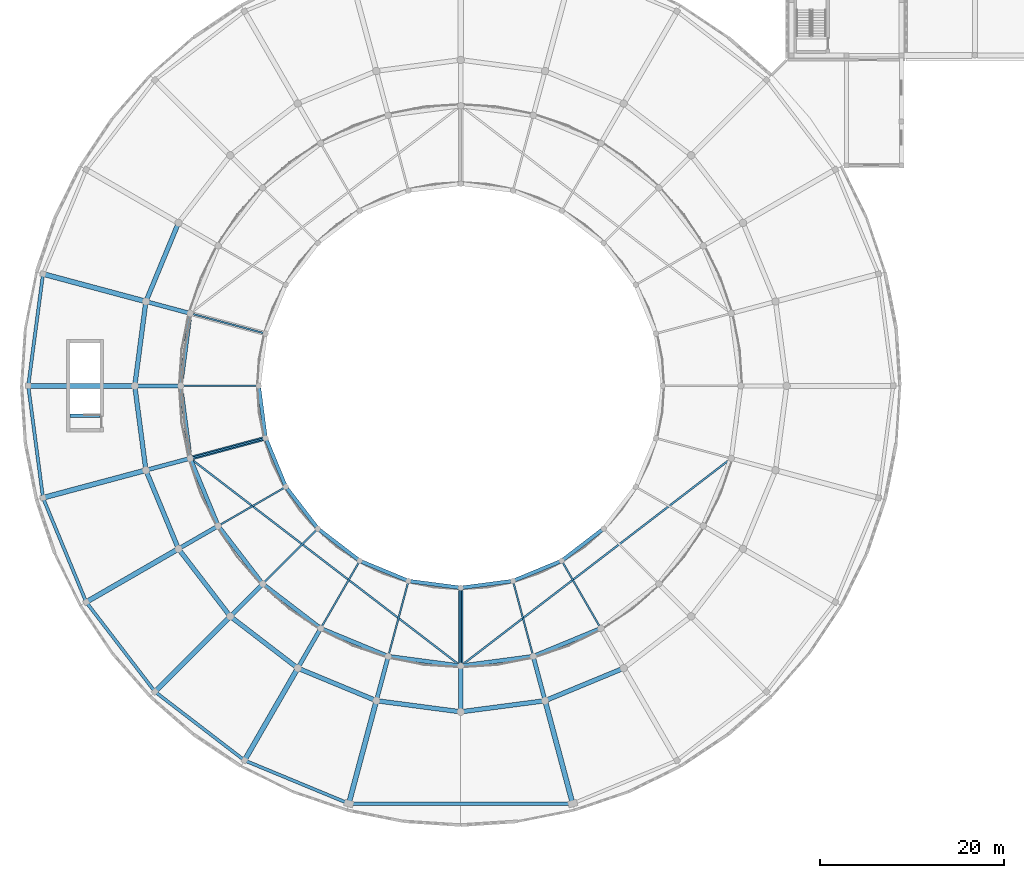
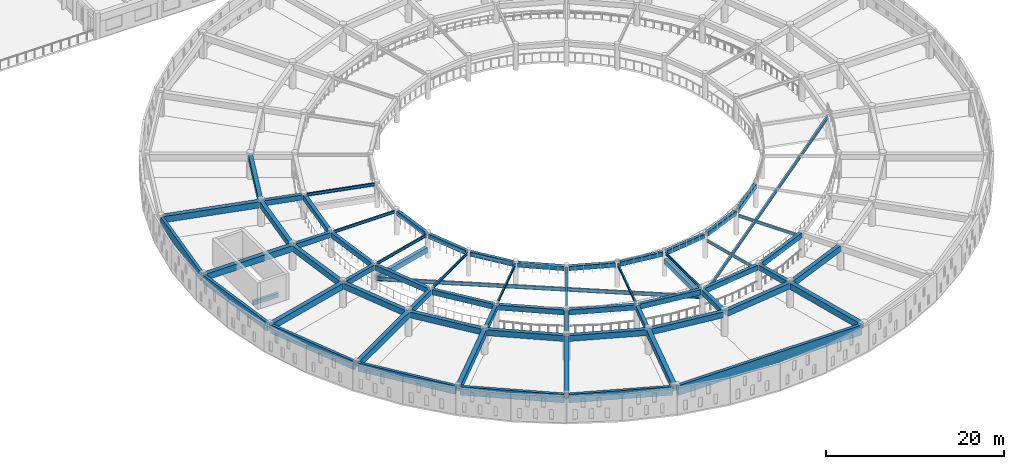
# One storey, part 10 of 155: 67 beams.
"""IFC4 building model written with IfcOpenShell, lengths in metres."""

from ifc_helpers import new_model, si_unit, direction, frame, origin, origin_2d, place, context, subcontext, project, spatial, rectangle, i_section, extrude, material, material_profile, profile_set, type_object, element, save


model = new_model("IFC4")

# Units and contexts
model_context = context("Model", 3, precision=1e-05, world=origin(), true_north=direction((0.0, 1.0)))
body_context = subcontext(model_context, "Body", "Model", "MODEL_VIEW")
ifc_project = project(units=[si_unit("LENGTHUNIT", "METRE"), si_unit("AREAUNIT", "SQUARE_METRE"), si_unit("VOLUMEUNIT", "CUBIC_METRE"), si_unit("PLANEANGLEUNIT", "RADIAN"), si_unit("MASSUNIT", "GRAM", prefix="KILO")], contexts=[model_context])

# Site, building, storey
site_placement = place(None, origin())
site = spatial("IfcSite", under=ifc_project, at=site_placement, CompositionType="ELEMENT")
building_placement = place(site_placement, origin())
building = spatial("IfcBuilding", under=site, at=building_placement, Name="Larkveld Mobility Hub", CompositionType="ELEMENT")
storey_placement = place(building_placement, frame((0.0, 0.0, 8.39990234375)))
storey = spatial("IfcBuildingStorey", under=building, at=storey_placement, Name="L02", CompositionType="ELEMENT", Elevation=8.39990234375)

# Beams
ifc_material_1 = material(Name="Concrete C40/50", Category="concrete")
ifc_material_profile_1 = material_profile(ifc_material_1, rectangle(XDim=0.35009765625, YDim=0.550048828125, at=origin_2d()), Name="RC BM 350x550")
ifc_profile_set_1 = profile_set([ifc_material_profile_1], Name="Concrete C40/50")
beam_type_1 = type_object("IfcBeamType", Name="BM-RC3555", PredefinedType="BEAM", material=ifc_profile_set_1)
beam_1_placement = place(storey_placement, frame((5.429931640625, 44.739990234375, -0.27001953125), z_axis=(1.0, 0.0, 0.0), x_axis=(0.0, 1.0, 0.0)))
element("IfcBeam", 1, at=beam_1_placement, inside=storey, type_object=beam_type_1, Name="Core C7 Stair Header Beam L02", PredefinedType="BEAM", context=body_context, shape_type="SweptSolid", body=[
    extrude(rectangle(XDim=0.35009765625, YDim=0.550048828125, at=origin_2d()), origin(), (0.0, 0.0, 1.0), 3.2900390625),
])
ifc_material_profile_2 = material_profile(ifc_material_1, rectangle(XDim=0.39990234375, YDim=0.60009765625, at=origin_2d()), Name="RC BM 400x600")
ifc_profile_set_2 = profile_set([ifc_material_profile_2], Name="Concrete C40/50")
beam_type_2 = type_object("IfcBeamType", Name="BM-RC4060", PredefinedType="BEAM", material=ifc_profile_set_2)
beam_2_placement = place(storey_placement, frame((26.031005859375, 47.761962890625, 3.03515625), z_axis=(0.130717291413, -0.991419683951, 0.0), x_axis=(0.991419683951, 0.130717291413, 0.0)))
element("IfcBeam", 2, at=beam_2_placement, inside=storey, type_object=beam_type_2, Name="Drum Chord Ring Beam L02-1668", PredefinedType="BEAM", context=body_context, shape_type="SweptSolid", body=[
    extrude(rectangle(XDim=0.39990234375, YDim=0.60009765625, at=origin_2d()), origin(), (0.0, 0.0, 1.0), 5.26318359375),
])
beam_3_placement = place(storey_placement, frame((26.842041015625, 42.083984375, 3.03515625), z_axis=(0.382522527323, -0.923946165147, 0.0), x_axis=(0.923946165147, 0.382522527323, 0.0)))
element("IfcBeam", 3, at=beam_3_placement, inside=storey, type_object=beam_type_2, Name="Drum Chord Ring Beam L02-1672", PredefinedType="BEAM", context=body_context, shape_type="SweptSolid", body=[
    extrude(rectangle(XDim=0.39990234375, YDim=0.60009765625, at=origin_2d()), origin(), (0.0, 0.0, 1.0), 5.26220703125),
])
for number, where, z_axis, x_axis, name in (
    (4, (29.093017578125, 36.81005859375, 3.03515625), (0.608845256975, -0.793289009793, 0.0), (0.793289009793, 0.608845256975, 0.0), "Drum Chord Ring Beam L02-1676"),
    (5, (32.634033203125, 32.298095703125, 3.03515625), (0.793289009793, -0.608845256975, 0.0), (0.608845256975, 0.793289009793, 0.0), "Drum Chord Ring Beam L02-1680"),
):
    element("IfcBeam", number, at=place(storey_placement, frame(where, z_axis=z_axis, x_axis=x_axis)), inside=storey, type_object=beam_type_2, Name=name, PredefinedType="BEAM", context=body_context, shape_type="SweptSolid", body=[
        extrude(rectangle(XDim=0.39990234375, YDim=0.60009765625, at=origin_2d()), origin(), (0.0, 0.0, 1.0), 5.26416015625),
    ])
beam_4_placement = place(storey_placement, frame((37.221923828125, 28.85498046875, 3.03515625), z_axis=(0.923946165147, -0.382522527323, 0.0), x_axis=(0.382522527323, 0.923946165147, 0.0)))
element("IfcBeam", 6, at=beam_4_placement, inside=storey, type_object=beam_type_2, Name="Drum Chord Ring Beam L02-1684", PredefinedType="BEAM", context=body_context, shape_type="SweptSolid", body=[
    extrude(rectangle(XDim=0.39990234375, YDim=0.60009765625, at=origin_2d()), origin(), (0.0, 0.0, 1.0), 5.26220703125),
])
for number, where, z_axis, x_axis, name in (
    (7, (42.5439453125, 26.718994140625, 3.03515625), (0.991419683951, -0.130717291413, 0.0), (0.130717291413, 0.991419683951, 0.0), "Drum Chord Ring Beam L02-1688"),
    (8, (48.238037109375, 26.031005859375, 3.03515625), (0.991419683951, 0.130717291413, 0.0), (-0.130717291413, 0.991419683951, 0.0), "Drum Chord Ring Beam L02-1692"),
):
    element("IfcBeam", number, at=place(storey_placement, frame(where, z_axis=z_axis, x_axis=x_axis)), inside=storey, type_object=beam_type_2, Name=name, PredefinedType="BEAM", context=body_context, shape_type="SweptSolid", body=[
        extrude(rectangle(XDim=0.39990234375, YDim=0.60009765625, at=origin_2d()), origin(), (0.0, 0.0, 1.0), 5.26318359375),
    ])
beam_5_placement = place(storey_placement, frame((53.916015625, 26.842041015625, 3.03515625), z_axis=(0.923946165147, 0.382522527323, 0.0), x_axis=(-0.382522527323, 0.923946165147, 0.0)))
element("IfcBeam", 9, at=beam_5_placement, inside=storey, type_object=beam_type_2, Name="Drum Chord Ring Beam L02-1695", PredefinedType="BEAM", context=body_context, shape_type="SweptSolid", body=[
    extrude(rectangle(XDim=0.39990234375, YDim=0.60009765625, at=origin_2d()), origin(), (0.0, 0.0, 1.0), 5.26220703125),
])
beam_6_placement = place(storey_placement, frame((59.18994140625, 29.093017578125, 3.03515625), z_axis=(0.793289009793, 0.608845256975, 0.0), x_axis=(-0.608845256975, 0.793289009793, 0.0)))
element("IfcBeam", 10, at=beam_6_placement, inside=storey, type_object=beam_type_2, Name="Drum Chord Ring Beam L02-1699", PredefinedType="BEAM", context=body_context, shape_type="SweptSolid", body=[
    extrude(rectangle(XDim=0.39990234375, YDim=0.60009765625, at=origin_2d()), origin(), (0.0, 0.0, 1.0), 5.26416015625),
])
ifc_material_profile_3 = material_profile(ifc_material_1, rectangle(XDim=0.449951171875, YDim=0.699951171875, at=origin_2d()), Name="RC BM 450x700")
ifc_profile_set_3 = profile_set([ifc_material_profile_3], Name="Concrete C40/50")
beam_type_3 = type_object("IfcBeamType", Name="BM-RC4570", PredefinedType="BEAM", material=ifc_profile_set_3)
beam_7_placement = place(storey_placement, frame((18.306884765625, 55.9560546875, 2.985107421875), z_axis=(-0.96590777444, 0.258886406125, 0.0), x_axis=(-0.258886406125, -0.96590777444, 0.0)))
element("IfcBeam", 11, at=beam_7_placement, inside=storey, type_object=beam_type_3, Name="Drum Radial Girder L02-1583", PredefinedType="BEAM", context=body_context, shape_type="SweptSolid", body=[
    extrude(rectangle(XDim=0.449951171875, YDim=0.699951171875, at=origin_2d()), origin(), (0.0, 0.0, 1.0), 4.51904296875),
])
beam_8_placement = place(storey_placement, frame((17.260009765625, 48.0, 2.985107421875), z_axis=(-1.0, 0.0, 0.0), x_axis=(0.0, -1.0, 0.0)))
element("IfcBeam", 12, at=beam_8_placement, inside=storey, type_object=beam_type_3, Name="Drum Radial Girder L02-1586", PredefinedType="BEAM", context=body_context, shape_type="SweptSolid", body=[
    extrude(rectangle(XDim=0.449951171875, YDim=0.699951171875, at=origin_2d()), origin(), (0.0, 0.0, 1.0), 4.52001953125),
])
beam_9_placement = place(storey_placement, frame((18.306884765625, 40.0439453125, 2.985107421875), z_axis=(-0.96590777444, -0.258886406125, 0.0), x_axis=(0.258886406125, -0.96590777444, 0.0)))
element("IfcBeam", 13, at=beam_9_placement, inside=storey, type_object=beam_type_3, Name="Drum Radial Girder L02-1589", PredefinedType="BEAM", context=body_context, shape_type="SweptSolid", body=[
    extrude(rectangle(XDim=0.449951171875, YDim=0.699951171875, at=origin_2d()), origin(), (0.0, 0.0, 1.0), 4.51904296875),
])
beam_10_placement = place(storey_placement, frame((21.3779296875, 32.6298828125, 2.985107421875), z_axis=(-0.86601375827, -0.50002017008, 0.0), x_axis=(0.50002017008, -0.86601375827, 0.0)))
element("IfcBeam", 14, at=beam_10_placement, inside=storey, type_object=beam_type_3, Name="Drum Radial Girder L02-1592", PredefinedType="BEAM", context=body_context, shape_type="SweptSolid", body=[
    extrude(rectangle(XDim=0.449951171875, YDim=0.699951171875, at=origin_2d()), origin(), (0.0, 0.0, 1.0), 4.519287109375),
])
beam_11_placement = place(storey_placement, frame((26.262939453125, 26.262939453125, 2.985107421875), z_axis=(-0.707106781187, -0.707106781187, 0.0), x_axis=(0.707106781187, -0.707106781187, 0.0)))
element("IfcBeam", 15, at=beam_11_placement, inside=storey, type_object=beam_type_3, Name="Drum Radial Girder L02-1595", PredefinedType="BEAM", context=body_context, shape_type="SweptSolid", body=[
    extrude(rectangle(XDim=0.449951171875, YDim=0.699951171875, at=origin_2d()), origin(), (0.0, 0.0, 1.0), 4.51806640625),
])
beam_12_placement = place(storey_placement, frame((32.6298828125, 21.3779296875, 2.985107421875), z_axis=(-0.50002017008, -0.86601375827, 0.0), x_axis=(0.86601375827, -0.50002017008, 0.0)))
element("IfcBeam", 16, at=beam_12_placement, inside=storey, type_object=beam_type_3, Name="Drum Radial Girder L02-1598", PredefinedType="BEAM", context=body_context, shape_type="SweptSolid", body=[
    extrude(rectangle(XDim=0.449951171875, YDim=0.699951171875, at=origin_2d()), origin(), (0.0, 0.0, 1.0), 4.519287109375),
])
beam_13_placement = place(storey_placement, frame((40.0439453125, 18.306884765625, 2.985107421875), z_axis=(-0.258886406125, -0.96590777444, 0.0), x_axis=(0.96590777444, -0.258886406125, 0.0)))
element("IfcBeam", 17, at=beam_13_placement, inside=storey, type_object=beam_type_3, Name="Drum Radial Girder L02-1601", PredefinedType="BEAM", context=body_context, shape_type="SweptSolid", body=[
    extrude(rectangle(XDim=0.449951171875, YDim=0.699951171875, at=origin_2d()), origin(), (0.0, 0.0, 1.0), 4.51904296875),
])
beam_14_placement = place(storey_placement, frame((48.0, 17.260009765625, 2.985107421875), z_axis=(0.0, -1.0, 0.0), x_axis=(1.0, 0.0, 0.0)))
element("IfcBeam", 18, at=beam_14_placement, inside=storey, type_object=beam_type_3, Name="Drum Radial Girder L02-1604", PredefinedType="BEAM", context=body_context, shape_type="SweptSolid", body=[
    extrude(rectangle(XDim=0.449951171875, YDim=0.699951171875, at=origin_2d()), origin(), (0.0, 0.0, 1.0), 4.52001953125),
])
beam_15_placement = place(storey_placement, frame((55.9560546875, 18.306884765625, 2.985107421875), z_axis=(0.258886406125, -0.96590777444, 0.0), x_axis=(0.96590777444, 0.258886406125, 0.0)))
element("IfcBeam", 19, at=beam_15_placement, inside=storey, type_object=beam_type_3, Name="Drum Radial Girder L02-1606", PredefinedType="BEAM", context=body_context, shape_type="SweptSolid", body=[
    extrude(rectangle(XDim=0.449951171875, YDim=0.699951171875, at=origin_2d()), origin(), (0.0, 0.0, 1.0), 4.51904296875),
])
for number, where, z_axis, x_axis, name in (
    (20, (18.508056640625, 55.656005859375, 2.985107421875), (-0.1305861874, -0.991436961012, 0.0), (0.991436961012, -0.1305861874, 0.0), "Drum Chord Ring Beam L02-1665"),
    (21, (17.531005859375, 47.761962890625, 2.985107421875), (0.1305861874, -0.991436961012, 0.0), (0.991436961012, 0.1305861874, 0.0), "Drum Chord Ring Beam L02-1669"),
):
    element("IfcBeam", number, at=place(storey_placement, frame(where, z_axis=z_axis, x_axis=x_axis)), inside=storey, type_object=beam_type_3, Name=name, PredefinedType="BEAM", context=body_context, shape_type="SweptSolid", body=[
        extrude(rectangle(XDim=0.449951171875, YDim=0.699951171875, at=origin_2d()), origin(), (0.0, 0.0, 1.0), 7.48193359375),
    ])
beam_16_placement = place(storey_placement, frame((18.631103515625, 39.884033203125, 2.985107421875), z_axis=(0.382649607255, -0.923893542605, 0.0), x_axis=(0.923893542605, 0.382649607255, 0.0)))
element("IfcBeam", 22, at=beam_16_placement, inside=storey, type_object=beam_type_3, Name="Drum Chord Ring Beam L02-1673", PredefinedType="BEAM", context=body_context, shape_type="SweptSolid", body=[
    extrude(rectangle(XDim=0.449951171875, YDim=0.699951171875, at=origin_2d()), origin(), (0.0, 0.0, 1.0), 7.4814453125),
])
for number, where, z_axis, x_axis, name in (
    (23, (21.73193359375, 32.56005859375, 2.985107421875), (0.608723281143, -0.793382610721, 0.0), (0.793382610721, 0.608723281143, 0.0), "Drum Chord Ring Beam L02-1677"),
    (24, (26.623046875, 26.287109375, 2.985107421875), (0.793382610721, -0.608723281143, 0.0), (0.608723281143, 0.793382610721, 0.0), "Drum Chord Ring Beam L02-1681"),
):
    element("IfcBeam", number, at=place(storey_placement, frame(where, z_axis=z_axis, x_axis=x_axis)), inside=storey, type_object=beam_type_3, Name=name, PredefinedType="BEAM", context=body_context, shape_type="SweptSolid", body=[
        extrude(rectangle(XDim=0.449951171875, YDim=0.699951171875, at=origin_2d()), origin(), (0.0, 0.0, 1.0), 7.483154296875),
    ])
beam_17_placement = place(storey_placement, frame((32.971923828125, 21.493896484375, 2.985107421875), z_axis=(0.923893542605, -0.382649607255, 0.0), x_axis=(0.382649607255, 0.923893542605, 0.0)))
element("IfcBeam", 25, at=beam_17_placement, inside=storey, type_object=beam_type_3, Name="Drum Chord Ring Beam L02-1685", PredefinedType="BEAM", context=body_context, shape_type="SweptSolid", body=[
    extrude(rectangle(XDim=0.449951171875, YDim=0.699951171875, at=origin_2d()), origin(), (0.0, 0.0, 1.0), 7.4814453125),
])
for number, where, z_axis, x_axis, name in (
    (26, (40.343994140625, 18.508056640625, 2.985107421875), (0.991436961012, -0.1305861874, 0.0), (0.1305861874, 0.991436961012, 0.0), "Drum Chord Ring Beam L02-1689"),
    (27, (48.238037109375, 17.531005859375, 2.985107421875), (0.991436961012, 0.1305861874, 0.0), (-0.1305861874, 0.991436961012, 0.0), "Drum Chord Ring Beam L02-1693"),
):
    element("IfcBeam", number, at=place(storey_placement, frame(where, z_axis=z_axis, x_axis=x_axis)), inside=storey, type_object=beam_type_3, Name=name, PredefinedType="BEAM", context=body_context, shape_type="SweptSolid", body=[
        extrude(rectangle(XDim=0.449951171875, YDim=0.699951171875, at=origin_2d()), origin(), (0.0, 0.0, 1.0), 7.48193359375),
    ])
beam_18_placement = place(storey_placement, frame((56.115966796875, 18.631103515625, 2.985107421875), z_axis=(0.923893542605, 0.382649607255, 0.0), x_axis=(-0.382649607255, 0.923893542605, 0.0)))
element("IfcBeam", 28, at=beam_18_placement, inside=storey, type_object=beam_type_3, Name="Drum Chord Ring Beam L02-1696", PredefinedType="BEAM", context=body_context, shape_type="SweptSolid", body=[
    extrude(rectangle(XDim=0.449951171875, YDim=0.699951171875, at=origin_2d()), origin(), (0.0, 0.0, 1.0), 7.4814453125),
])
beam_19_placement = place(storey_placement, frame((26.47998046875, 42.23388671875, 1.205078125), z_axis=(-0.965910174028, -0.258877453071, 0.0), x_axis=(0.258877453071, -0.965910174028, 0.0)))
element("IfcBeam", 29, at=beam_19_placement, inside=storey, type_object=beam_type_3, Name="Helical Ramp Radial Support Girder L02-1767", PredefinedType="BEAM", context=body_context, shape_type="SweptSolid", body=[
    extrude(rectangle(XDim=0.449951171875, YDim=0.699951171875, at=origin_2d()), origin(), (0.0, 0.0, 1.0), 7.941650390625),
])
beam_20_placement = place(storey_placement, frame((48.0, 25.719970703125, 2.10498046875), z_axis=(0.0, -1.0, 0.0), x_axis=(1.0, 0.0, 0.0)))
element("IfcBeam", 30, at=beam_20_placement, inside=storey, type_object=beam_type_3, Name="Helical Ramp Radial Support Girder L02-1768", PredefinedType="BEAM", context=body_context, shape_type="SweptSolid", body=[
    extrude(rectangle(XDim=0.449951171875, YDim=0.699951171875, at=origin_2d()), origin(), (0.0, 0.0, 1.0), 7.93994140625),
])
ifc_material_profile_4 = material_profile(ifc_material_1, rectangle(XDim=0.5, YDim=0.800048828125, at=origin_2d()), Name="RC BM 500x800")
ifc_profile_set_4 = profile_set([ifc_material_profile_4], Name="Concrete C40/50")
beam_type_4 = type_object("IfcBeamType", Name="BM-RC5080", PredefinedType="BEAM", material=ifc_profile_set_4)
beam_21_placement = place(storey_placement, frame((17.1640625, 65.528076171875, 2.93505859375), z_axis=(-0.382625816799, -0.923903395556, 0.0), x_axis=(0.923903395556, -0.382625816799, 0.0)))
element("IfcBeam", 31, at=beam_21_placement, inside=storey, type_object=beam_type_4, Name="Drum Chord Ring Beam L02-1662", PredefinedType="BEAM", context=body_context, shape_type="SweptSolid", body=[
    extrude(rectangle(XDim=0.5, YDim=0.800048828125, at=origin_2d()), origin(), (0.0, 0.0, 1.0), 8.786865234375),
])
for number, where, z_axis, x_axis, name in (
    (32, (13.678955078125, 56.949951171875, 2.93505859375), (-0.130638498674, -0.991430069478, 0.0), (0.991430069478, -0.130638498674, 0.0), "Drum Chord Ring Beam L02-1666"),
    (33, (12.531005859375, 47.761962890625, 2.93505859375), (0.130638498674, -0.991430069478, 0.0), (0.991430069478, 0.130638498674, 0.0), "Drum Chord Ring Beam L02-1670"),
):
    element("IfcBeam", number, at=place(storey_placement, frame(where, z_axis=z_axis, x_axis=x_axis)), inside=storey, type_object=beam_type_4, Name=name, PredefinedType="BEAM", context=body_context, shape_type="SweptSolid", body=[
        extrude(rectangle(XDim=0.5, YDim=0.800048828125, at=origin_2d()), origin(), (0.0, 0.0, 1.0), 8.787109375),
    ])
beam_22_placement = place(storey_placement, frame((13.802001953125, 38.590087890625, 2.93505859375), z_axis=(0.382625816799, -0.923903395556, 0.0), x_axis=(0.923903395556, 0.382625816799, 0.0)))
element("IfcBeam", 34, at=beam_22_placement, inside=storey, type_object=beam_type_4, Name="Drum Chord Ring Beam L02-1674", PredefinedType="BEAM", context=body_context, shape_type="SweptSolid", body=[
    extrude(rectangle(XDim=0.5, YDim=0.800048828125, at=origin_2d()), origin(), (0.0, 0.0, 1.0), 8.786865234375),
])
for number, where, z_axis, x_axis, name in (
    (35, (17.402099609375, 30.06005859375, 2.93505859375), (0.608755761591, -0.793357689021, 0.0), (0.793357689021, 0.608755761591, 0.0), "Drum Chord Ring Beam L02-1678"),
    (36, (23.087890625, 22.751953125, 2.93505859375), (0.793357689021, -0.608755761591, 0.0), (0.608755761591, 0.793357689021, 0.0), "Drum Chord Ring Beam L02-1682"),
):
    element("IfcBeam", number, at=place(storey_placement, frame(where, z_axis=z_axis, x_axis=x_axis)), inside=storey, type_object=beam_type_4, Name=name, PredefinedType="BEAM", context=body_context, shape_type="SweptSolid", body=[
        extrude(rectangle(XDim=0.5, YDim=0.800048828125, at=origin_2d()), origin(), (0.0, 0.0, 1.0), 8.7880859375),
    ])
beam_23_placement = place(storey_placement, frame((30.471923828125, 17.1640625, 2.93505859375), z_axis=(0.923903395556, -0.382625816799, 0.0), x_axis=(0.382625816799, 0.923903395556, 0.0)))
element("IfcBeam", 37, at=beam_23_placement, inside=storey, type_object=beam_type_4, Name="Drum Chord Ring Beam L02-1686", PredefinedType="BEAM", context=body_context, shape_type="SweptSolid", body=[
    extrude(rectangle(XDim=0.5, YDim=0.800048828125, at=origin_2d()), origin(), (0.0, 0.0, 1.0), 8.786865234375),
])
for number, where, z_axis, x_axis, name in (
    (38, (39.050048828125, 13.678955078125, 2.93505859375), (0.991430069478, -0.130638498674, 0.0), (0.130638498674, 0.991430069478, 0.0), "Drum Chord Ring Beam L02-1690"),
    (39, (48.238037109375, 12.531005859375, 2.93505859375), (0.991430069478, 0.130638498674, 0.0), (-0.130638498674, 0.991430069478, 0.0), "Drum Chord Ring Beam L02-1694"),
):
    element("IfcBeam", number, at=place(storey_placement, frame(where, z_axis=z_axis, x_axis=x_axis)), inside=storey, type_object=beam_type_4, Name=name, PredefinedType="BEAM", context=body_context, shape_type="SweptSolid", body=[
        extrude(rectangle(XDim=0.5, YDim=0.800048828125, at=origin_2d()), origin(), (0.0, 0.0, 1.0), 8.787109375),
    ])
beam_24_placement = place(storey_placement, frame((57.409912109375, 13.802001953125, 2.93505859375), z_axis=(0.923903395556, 0.382625816799, 0.0), x_axis=(-0.382625816799, 0.923903395556, 0.0)))
element("IfcBeam", 40, at=beam_24_placement, inside=storey, type_object=beam_type_4, Name="Drum Chord Ring Beam L02-1697", PredefinedType="BEAM", context=body_context, shape_type="SweptSolid", body=[
    extrude(rectangle(XDim=0.5, YDim=0.800048828125, at=origin_2d()), origin(), (0.0, 0.0, 1.0), 8.786865234375),
])
ifc_material_profile_5 = material_profile(ifc_material_1, rectangle(XDim=0.550048828125, YDim=0.85009765625, at=origin_2d()), Name="RC BM 550x850")
ifc_profile_set_5 = profile_set([ifc_material_profile_5], Name="Concrete C40/50")
beam_type_5 = type_object("IfcBeamType", Name="BM-RC5585", PredefinedType="BEAM", material=ifc_profile_set_5)
beam_25_placement = place(storey_placement, frame((13.47802734375, 57.25, 2.91015625), z_axis=(-0.965928157481, 0.258810344821, 0.0), x_axis=(-0.258810344821, -0.965928157481, 0.0)))
element("IfcBeam", 41, at=beam_25_placement, inside=storey, type_object=beam_type_5, Name="Drum Radial Girder L02-1584", PredefinedType="BEAM", context=body_context, shape_type="SweptSolid", body=[
    extrude(rectangle(XDim=0.550048828125, YDim=0.85009765625, at=origin_2d()), origin(), (0.0, 0.0, 1.0), 11.119873046875),
])
beam_26_placement = place(storey_placement, frame((12.260009765625, 48.0, 2.91015625), z_axis=(-1.0, 0.0, 0.0), x_axis=(0.0, -1.0, 0.0)))
element("IfcBeam", 42, at=beam_26_placement, inside=storey, type_object=beam_type_5, Name="Drum Radial Girder L02-1587", PredefinedType="BEAM", context=body_context, shape_type="SweptSolid", body=[
    extrude(rectangle(XDim=0.550048828125, YDim=0.85009765625, at=origin_2d()), origin(), (0.0, 0.0, 1.0), 11.1201171875),
])
for number, where, z_axis, x_axis, name in (
    (43, (13.47802734375, 38.75, 2.91015625), (-0.965928157481, -0.258810344821, 0.0), (0.258810344821, -0.965928157481, 0.0), "Drum Radial Girder L02-1590"),
    (44, (17.048095703125, 30.1298828125, 2.91015625), (-0.866030930781, -0.499990426839, 0.0), (0.499990426839, -0.866030930781, 0.0), "Drum Radial Girder L02-1593"),
):
    element("IfcBeam", number, at=place(storey_placement, frame(where, z_axis=z_axis, x_axis=x_axis)), inside=storey, type_object=beam_type_5, Name=name, PredefinedType="BEAM", context=body_context, shape_type="SweptSolid", body=[
        extrude(rectangle(XDim=0.550048828125, YDim=0.85009765625, at=origin_2d()), origin(), (0.0, 0.0, 1.0), 11.119873046875),
    ])
beam_27_placement = place(storey_placement, frame((22.72802734375, 22.72802734375, 2.91015625), z_axis=(-0.707106781187, -0.707106781187, 0.0), x_axis=(0.707106781187, -0.707106781187, 0.0)))
element("IfcBeam", 45, at=beam_27_placement, inside=storey, type_object=beam_type_5, Name="Drum Radial Girder L02-1596", PredefinedType="BEAM", context=body_context, shape_type="SweptSolid", body=[
    extrude(rectangle(XDim=0.550048828125, YDim=0.85009765625, at=origin_2d()), origin(), (0.0, 0.0, 1.0), 11.1201171875),
])
for number, where, z_axis, x_axis, name in (
    (46, (30.1298828125, 17.048095703125, 2.91015625), (-0.499990426839, -0.866030930781, 0.0), (0.866030930781, -0.499990426839, 0.0), "Drum Radial Girder L02-1599"),
    (47, (38.75, 13.47802734375, 2.91015625), (-0.258810344821, -0.965928157481, 0.0), (0.965928157481, -0.258810344821, 0.0), "Drum Radial Girder L02-1602"),
    (48, (57.25, 13.47802734375, 2.91015625), (0.258810344821, -0.965928157481, 0.0), (0.965928157481, 0.258810344821, 0.0), "Drum Radial Girder L02-1607"),
):
    element("IfcBeam", number, at=place(storey_placement, frame(where, z_axis=z_axis, x_axis=x_axis)), inside=storey, type_object=beam_type_5, Name=name, PredefinedType="BEAM", context=body_context, shape_type="SweptSolid", body=[
        extrude(rectangle(XDim=0.550048828125, YDim=0.85009765625, at=origin_2d()), origin(), (0.0, 0.0, 1.0), 11.119873046875),
    ])
ifc_material_2 = material(Name="Precast concrete C50/60", Category="concrete")
ifc_material_profile_6 = material_profile(ifc_material_2, rectangle(XDim=0.35009765625, YDim=1.14990234375, at=origin_2d()), Name="PC SP 350x1150")
ifc_profile_set_6 = profile_set([ifc_material_profile_6], Name="Precast concrete C50/60")
beam_type_6 = type_object("IfcBeamType", Name="BM-SP35115", PredefinedType="SPANDREL", material=ifc_profile_set_6)
for number, where, z_axis, x_axis, name in (
    (49, (2.47412109375, 59.951904296875, 2.760009765625), (-0.130613798255, -0.991433323883, 0.0), (0.991433323883, -0.130613798255, 0.0), "Drum Chord Ring Beam L02-1667"),
    (50, (0.930908203125, 47.761962890625, 2.760009765625), (0.130613798255, -0.991433323883, 0.0), (0.991433323883, 0.130613798255, 0.0), "Drum Chord Ring Beam L02-1671"),
):
    element("IfcBeam", number, at=place(storey_placement, frame(where, z_axis=z_axis, x_axis=x_axis)), inside=storey, type_object=beam_type_6, Name=name, PredefinedType="SPANDREL", context=body_context, shape_type="SweptSolid", body=[
        extrude(rectangle(XDim=0.35009765625, YDim=1.14990234375, at=origin_2d()), origin(), (0.0, 0.0, 1.0), 11.815185546875),
    ])
beam_28_placement = place(storey_placement, frame((2.596923828125, 35.587890625, 2.760009765625), z_axis=(0.38264987514, -0.923893431655, 0.0), x_axis=(0.923893431655, 0.38264987514, 0.0)))
element("IfcBeam", 51, at=beam_28_placement, inside=storey, type_object=beam_type_6, Name="Drum Chord Ring Beam L02-1675", PredefinedType="SPANDREL", context=body_context, shape_type="SweptSolid", body=[
    extrude(rectangle(XDim=0.35009765625, YDim=1.14990234375, at=origin_2d()), origin(), (0.0, 0.0, 1.0), 11.81494140625),
])
for number, where, z_axis, x_axis, name in (
    (52, (7.35595703125, 24.260009765625, 2.760009765625), (0.608730786402, -0.79337685225, 0.0), (0.79337685225, 0.608730786402, 0.0), "Drum Chord Ring Beam L02-1679"),
    (53, (14.885009765625, 14.549072265625, 2.760009765625), (0.79337685225, -0.608730786402, 0.0), (0.608730786402, 0.79337685225, 0.0), "Drum Chord Ring Beam L02-1683"),
):
    element("IfcBeam", number, at=place(storey_placement, frame(where, z_axis=z_axis, x_axis=x_axis)), inside=storey, type_object=beam_type_6, Name=name, PredefinedType="SPANDREL", context=body_context, shape_type="SweptSolid", body=[
        extrude(rectangle(XDim=0.35009765625, YDim=1.14990234375, at=origin_2d()), origin(), (0.0, 0.0, 1.0), 11.816650390625),
    ])
beam_29_placement = place(storey_placement, frame((24.672119140625, 7.117919921875, 2.760009765625), z_axis=(0.923893431655, -0.38264987514, 0.0), x_axis=(0.38264987514, 0.923893431655, 0.0)))
element("IfcBeam", 54, at=beam_29_placement, inside=storey, type_object=beam_type_6, Name="Drum Chord Ring Beam L02-1687", PredefinedType="SPANDREL", context=body_context, shape_type="SweptSolid", body=[
    extrude(rectangle(XDim=0.35009765625, YDim=1.14990234375, at=origin_2d()), origin(), (0.0, 0.0, 1.0), 11.81494140625),
])
ifc_material_profile_7 = material_profile(ifc_material_2, rectangle(XDim=0.39990234375, YDim=1.35009765625, at=origin_2d()), Name="PC SP 400x1350")
ifc_profile_set_7 = profile_set([ifc_material_profile_7], Name="Precast concrete C50/60")
beam_type_7 = type_object("IfcBeamType", Name="BM-SP40135", PredefinedType="SPANDREL", material=ifc_profile_set_7)
beam_30_placement = place(storey_placement, frame((36.110107421875, 2.5048828125, 2.66015625), z_axis=(1.0, 0.0, 0.0), x_axis=(0.0, 1.0, 0.0)))
element("IfcBeam", 55, at=beam_30_placement, inside=storey, type_object=beam_type_7, Name="Drum Portal Spandrel Girder L02-1691", PredefinedType="SPANDREL", context=body_context, shape_type="SweptSolid", body=[
    extrude(rectangle(XDim=0.39990234375, YDim=1.35009765625, at=origin_2d()), origin(), (0.0, 0.0, 1.0), 23.77978515625),
])
ifc_material_3 = material(Name="Steel S355JR", Category="steel")
ifc_material_profile_8 = material_profile(ifc_material_3, i_section(OverallWidth=0.179931640625, OverallDepth=0.39990234375, WebThickness=0.008544921875, FlangeThickness=0.013427734375, FilletRadius=0.02099609375, at=origin_2d()), Name="IPE 400")
ifc_profile_set_8 = profile_set([ifc_material_profile_8], Name="Steel S355JR")
beam_type_8 = type_object("IfcBeamType", Name="BM-STIPE400", PredefinedType="BEAM", material=ifc_profile_set_8)
beam_31_placement = place(storey_placement, frame((26.51806640625, 53.756103515625, 3.135009765625), z_axis=(-0.96592250653, 0.258831434294, 0.0), x_axis=(-0.258831434294, -0.96592250653, 0.0)))
element("IfcBeam", 56, at=beam_31_placement, inside=storey, type_object=beam_type_8, Name="Drum Radial Girder L02-1582", PredefinedType="BEAM", context=body_context, shape_type="SweptSolid", body=[
    extrude(i_section(OverallWidth=0.179931640625, OverallDepth=0.39990234375, WebThickness=0.008544921875, FlangeThickness=0.013427734375, FilletRadius=0.02099609375, at=origin_2d()), origin(), (0.0, 0.0, 1.0), 8.020263671875),
])
beam_32_placement = place(storey_placement, frame((25.760009765625, 48.0, 3.135009765625), z_axis=(-1.0, 0.0, 0.0), x_axis=(0.0, -1.0, 0.0)))
element("IfcBeam", 57, at=beam_32_placement, inside=storey, type_object=beam_type_8, Name="Drum Radial Girder L02-1585", PredefinedType="BEAM", context=body_context, shape_type="SweptSolid", body=[
    extrude(i_section(OverallWidth=0.179931640625, OverallDepth=0.39990234375, WebThickness=0.008544921875, FlangeThickness=0.013427734375, FilletRadius=0.02099609375, at=origin_2d()), origin(), (0.0, 0.0, 1.0), 8.02001953125),
])
beam_33_placement = place(storey_placement, frame((26.51806640625, 42.243896484375, 3.135009765625), z_axis=(-0.96592250653, -0.258831434294, 0.0), x_axis=(0.258831434294, -0.96592250653, 0.0)))
element("IfcBeam", 58, at=beam_33_placement, inside=storey, type_object=beam_type_8, Name="Drum Radial Girder L02-1588", PredefinedType="BEAM", context=body_context, shape_type="SweptSolid", body=[
    extrude(i_section(OverallWidth=0.179931640625, OverallDepth=0.39990234375, WebThickness=0.008544921875, FlangeThickness=0.013427734375, FilletRadius=0.02099609375, at=origin_2d()), origin(), (0.0, 0.0, 1.0), 8.020263671875),
])
beam_34_placement = place(storey_placement, frame((28.739013671875, 36.8798828125, 3.135009765625), z_axis=(-0.86602386286, -0.50000266895, 0.0), x_axis=(0.50000266895, -0.86602386286, 0.0)))
element("IfcBeam", 59, at=beam_34_placement, inside=storey, type_object=beam_type_8, Name="Drum Radial Girder L02-1591", PredefinedType="BEAM", context=body_context, shape_type="SweptSolid", body=[
    extrude(i_section(OverallWidth=0.179931640625, OverallDepth=0.39990234375, WebThickness=0.008544921875, FlangeThickness=0.013427734375, FilletRadius=0.02099609375, at=origin_2d()), origin(), (0.0, 0.0, 1.0), 8.01953125),
])
beam_35_placement = place(storey_placement, frame((32.27392578125, 32.27392578125, 3.135009765625), z_axis=(-0.707106781187, -0.707106781187, 0.0), x_axis=(0.707106781187, -0.707106781187, 0.0)))
element("IfcBeam", 60, at=beam_35_placement, inside=storey, type_object=beam_type_8, Name="Drum Radial Girder L02-1594", PredefinedType="BEAM", context=body_context, shape_type="SweptSolid", body=[
    extrude(i_section(OverallWidth=0.179931640625, OverallDepth=0.39990234375, WebThickness=0.008544921875, FlangeThickness=0.013427734375, FilletRadius=0.02099609375, at=origin_2d()), origin(), (0.0, 0.0, 1.0), 8.019775390625),
])
beam_36_placement = place(storey_placement, frame((36.8798828125, 28.739013671875, 3.135009765625), z_axis=(-0.50000266895, -0.86602386286, 0.0), x_axis=(0.86602386286, -0.50000266895, 0.0)))
element("IfcBeam", 61, at=beam_36_placement, inside=storey, type_object=beam_type_8, Name="Drum Radial Girder L02-1597", PredefinedType="BEAM", context=body_context, shape_type="SweptSolid", body=[
    extrude(i_section(OverallWidth=0.179931640625, OverallDepth=0.39990234375, WebThickness=0.008544921875, FlangeThickness=0.013427734375, FilletRadius=0.02099609375, at=origin_2d()), origin(), (0.0, 0.0, 1.0), 8.01953125),
])
beam_37_placement = place(storey_placement, frame((42.243896484375, 26.51806640625, 3.135009765625), z_axis=(-0.258831434294, -0.96592250653, 0.0), x_axis=(0.96592250653, -0.258831434294, 0.0)))
element("IfcBeam", 62, at=beam_37_placement, inside=storey, type_object=beam_type_8, Name="Drum Radial Girder L02-1600", PredefinedType="BEAM", context=body_context, shape_type="SweptSolid", body=[
    extrude(i_section(OverallWidth=0.179931640625, OverallDepth=0.39990234375, WebThickness=0.008544921875, FlangeThickness=0.013427734375, FilletRadius=0.02099609375, at=origin_2d()), origin(), (0.0, 0.0, 1.0), 8.020263671875),
])
beam_38_placement = place(storey_placement, frame((48.0, 25.760009765625, 3.135009765625), z_axis=(0.0, -1.0, 0.0), x_axis=(1.0, 0.0, 0.0)))
element("IfcBeam", 63, at=beam_38_placement, inside=storey, type_object=beam_type_8, Name="Drum Radial Girder L02-1603", PredefinedType="BEAM", context=body_context, shape_type="SweptSolid", body=[
    extrude(i_section(OverallWidth=0.179931640625, OverallDepth=0.39990234375, WebThickness=0.008544921875, FlangeThickness=0.013427734375, FilletRadius=0.02099609375, at=origin_2d()), origin(), (0.0, 0.0, 1.0), 8.02001953125),
])
beam_39_placement = place(storey_placement, frame((53.756103515625, 26.51806640625, 2.4150390625), z_axis=(0.258831434294, -0.96592250653, 0.0), x_axis=(0.96592250653, 0.258831434294, 0.0)))
element("IfcBeam", 64, at=beam_39_placement, inside=storey, type_object=beam_type_8, Name="Drum Radial Girder L02-1605", PredefinedType="BEAM", context=body_context, shape_type="SweptSolid", body=[
    extrude(i_section(OverallWidth=0.179931640625, OverallDepth=0.39990234375, WebThickness=0.008544921875, FlangeThickness=0.013427734375, FilletRadius=0.02099609375, at=origin_2d()), origin(), (0.0, 0.0, 1.0), 8.020263671875),
])
beam_40_placement = place(storey_placement, frame((59.1201171875, 28.739013671875, 2.59521484375), z_axis=(0.50000266895, -0.86602386286, 0.0), x_axis=(0.86602386286, 0.50000266895, 0.0)))
element("IfcBeam", 65, at=beam_40_placement, inside=storey, type_object=beam_type_8, Name="Drum Radial Girder L02-1608", PredefinedType="BEAM", context=body_context, shape_type="SweptSolid", body=[
    extrude(i_section(OverallWidth=0.179931640625, OverallDepth=0.39990234375, WebThickness=0.008544921875, FlangeThickness=0.013427734375, FilletRadius=0.02099609375, at=origin_2d()), origin(), (0.0, 0.0, 1.0), 8.01953125),
])
ifc_material_profile_9 = material_profile(ifc_material_3, i_section(OverallWidth=0.199951171875, OverallDepth=0.5, WebThickness=0.01025390625, FlangeThickness=0.01611328125, FilletRadius=0.02099609375, at=origin_2d()), Name="IPE 500")
ifc_profile_set_9 = profile_set([ifc_material_profile_9], Name="Steel S355JR")
beam_type_9 = type_object("IfcBeamType", Name="BM-STIPE500", PredefinedType="BEAM", material=ifc_profile_set_9)
for number, where, z_axis, x_axis, name in (
    (66, (18.760986328125, 39.93603515625, 1.255126953125), (0.79310649328, -0.608586151077, 0.024596484209), (0.608770328015, 0.793346511764, 0.0), "Helical Ramp Stringer Beam L02-1771"),
    (67, (48.221923828125, 17.669921875, 2.155029296875), (0.793106363088, 0.608586051175, 0.024603153118), (-0.608770328015, 0.793346511764, 0.0), "Helical Ramp Stringer Beam L02-1772"),
):
    element("IfcBeam", number, at=place(storey_placement, frame(where, z_axis=z_axis, x_axis=x_axis)), inside=storey, type_object=beam_type_9, Name=name, PredefinedType="BEAM", context=body_context, shape_type="SweptSolid", body=[
        extrude(i_section(OverallWidth=0.199951171875, OverallDepth=0.5, WebThickness=0.01025390625, FlangeThickness=0.01611328125, FilletRadius=0.02099609375, at=origin_2d()), origin(), (0.0, 0.0, 1.0), 36.586669921875),
    ])

save(model, "model.ifc")
